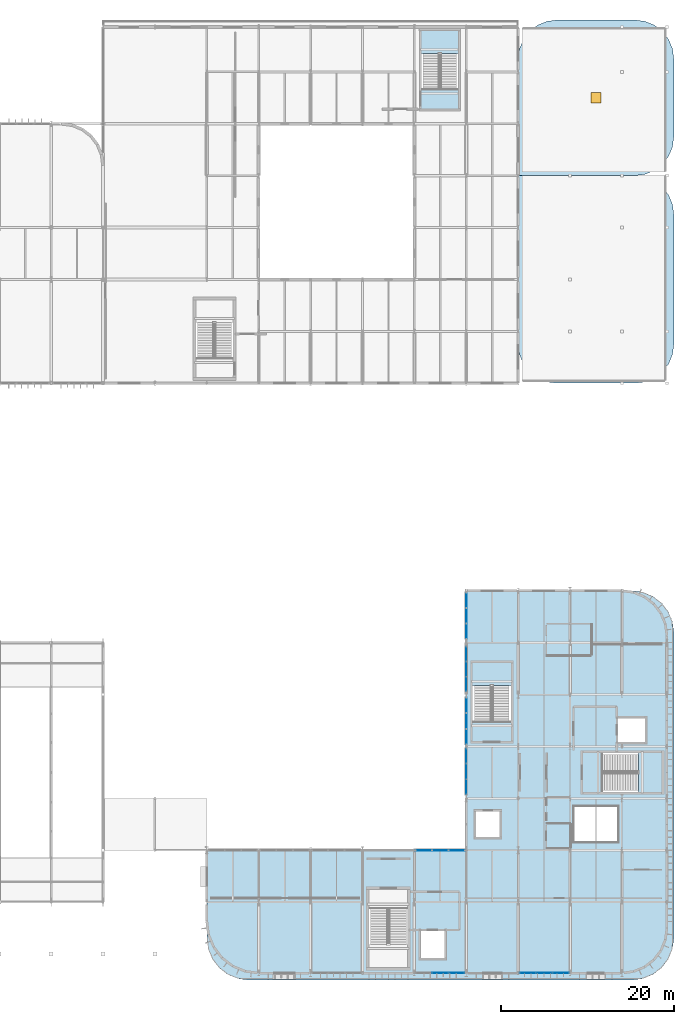
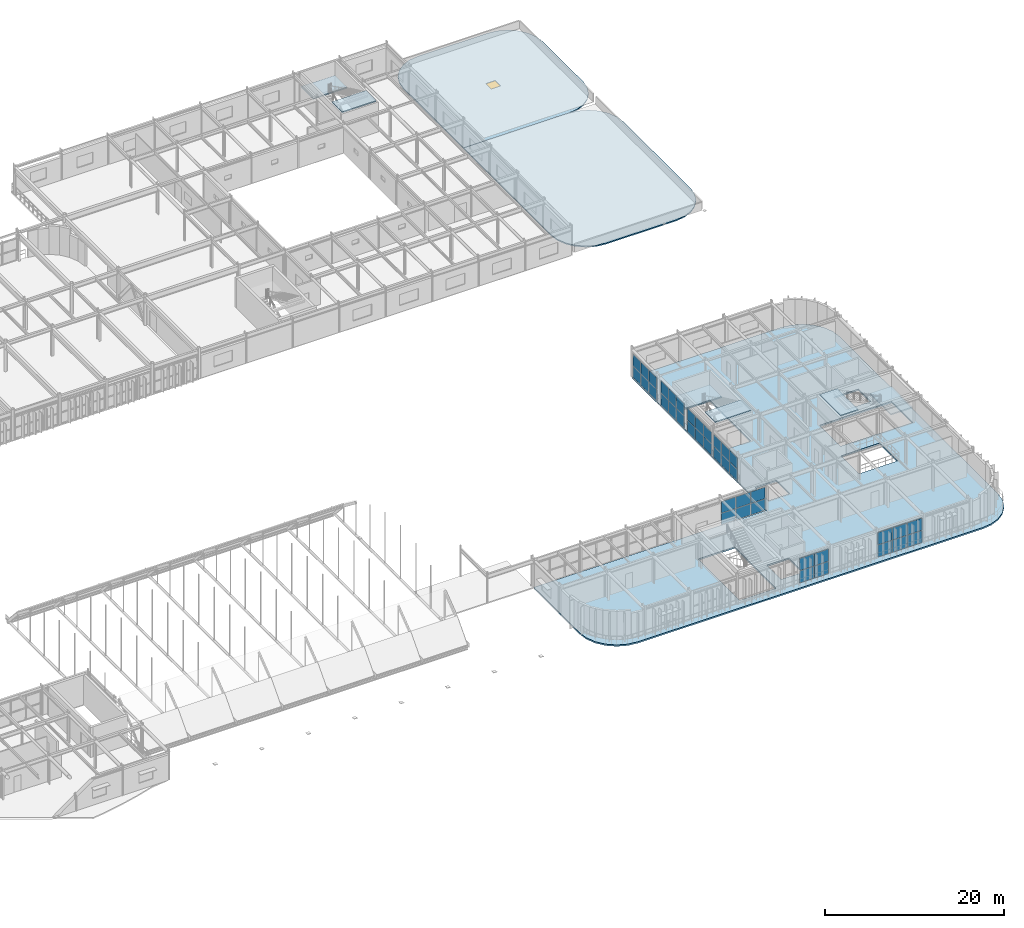
# One storey, part 82 of 116: 40 plates, 9 slabs, 1 door, 1 opening, 10 elements without a shape of their own.
"""IFC4 building model written with IfcOpenShell, lengths in metres."""

from ifc_helpers import new_model, si_unit, direction, frame, origin, origin_2d, place, context, subcontext, project, spatial, polyline, rectangle, outline, extrude, material, layer, layer_set, type_object, element, fill, aggregate, save


model = new_model("IFC4")

# Units and contexts
model_context = context("Model", 3, precision=1e-05, world=origin(), true_north=direction((0.0, 1.0)))
body_context = subcontext(model_context, "Body", "Model", "MODEL_VIEW")
ifc_project = project(units=[si_unit("LENGTHUNIT", "METRE"), si_unit("AREAUNIT", "SQUARE_METRE"), si_unit("VOLUMEUNIT", "CUBIC_METRE"), si_unit("PLANEANGLEUNIT", "RADIAN"), si_unit("MASSUNIT", "GRAM", prefix="KILO")], contexts=[model_context])

# Site, building, storey
site_placement = place(None, origin())
site = spatial("IfcSite", under=ifc_project, at=site_placement, CompositionType="ELEMENT")
building_placement = place(site_placement, origin())
building = spatial("IfcBuilding", under=site, at=building_placement, Name="Varnakota Square Police Headquarters", CompositionType="ELEMENT")
storey_placement = place(building_placement, frame((0.0, 0.0, 9.300048828125)))
storey = spatial("IfcBuildingStorey", under=building, at=storey_placement, Name="L02", CompositionType="ELEMENT", Elevation=9.300048828125)

# Curtain wall, plates
ifc_material_1 = material(Name="Anodised Aluminium Framing", Category="aluminium")
curtain_wall_type_1 = type_object("IfcCurtainWallType", Name="CW-SYS-B", PredefinedType="NOTDEFINED", material=ifc_material_1)
curtain_wall_1_placement = place(storey_placement, origin())
curtain_wall_1 = element("IfcCurtainWall", 1, at=curtain_wall_1_placement, inside=storey, type_object=curtain_wall_type_1, Name="Unitised curtain wall CWG-L02-067", PredefinedType="NOTDEFINED")
ifc_material_2 = material(Name="Solar-Control Laminated Double Glazing", Category="glass")
ifc_layer_1 = layer(ifc_material_2, 0.028076171875, Name="Solar-Control Laminated Double Glazing")
ifc_layer_set_1 = layer_set([ifc_layer_1], Name="Solar-Control Laminated Double Glazing")
plate_type_1 = type_object("IfcPlateType", Name="CWP-GLZ-28", PredefinedType="CURTAIN_PANEL", material=ifc_layer_set_1)
plate_1_placement = place(storey_placement, frame((134.972412109375, 0.800048828125, 0.06494140625), z_axis=(0.0, 0.0, 1.0), x_axis=(1.0, 0.0, 0.0)))
plate_1 = element("IfcPlate", 2, at=plate_1_placement, type_object=plate_type_1, Name="CWG-L02-067 panel 2.1", PredefinedType="CURTAIN_PANEL", context=body_context, shape_type="SweptSolid", body=[
    extrude(rectangle(XDim=1.84326171875, YDim=0.028076171875, at=origin_2d()), origin(), (0.0, 0.0, 1.0), 1.644287109375),
])
plate_2_placement = place(storey_placement, frame((136.864501953125, 0.800048828125, 0.06494140625), z_axis=(0.0, 0.0, 1.0), x_axis=(1.0, 0.0, 0.0)))
plate_2 = element("IfcPlate", 3, at=plate_2_placement, type_object=plate_type_1, Name="CWG-L02-067 panel 3.1", PredefinedType="CURTAIN_PANEL", context=body_context, shape_type="SweptSolid", body=[
    extrude(rectangle(XDim=1.810791015625, YDim=0.028076171875, at=origin_2d()), origin(), (0.0, 0.0, 1.0), 1.644287109375),
])

curtain_wall_type_2 = type_object("IfcCurtainWallType", Name="CW-SYS-E", PredefinedType="NOTDEFINED", material=ifc_material_1)
curtain_wall_2_placement = place(storey_placement, origin())
curtain_wall_2 = element("IfcCurtainWall", 4, at=curtain_wall_2_placement, inside=storey, type_object=curtain_wall_type_2, Name="Unitised curtain wall CWG-L02-075", PredefinedType="NOTDEFINED")
plate_3_placement = place(storey_placement, frame((138.0, 34.202880859375, 0.06494140625), z_axis=(0.0, 0.0, 1.0), x_axis=(0.0, 1.0, 0.0)))
plate_3 = element("IfcPlate", 5, at=plate_3_placement, type_object=plate_type_1, Name="CWG-L02-075 panel 1.1", PredefinedType="CURTAIN_PANEL", context=body_context, shape_type="SweptSolid", body=[
    extrude(rectangle(XDim=1.665771484375, YDim=0.028076171875, at=origin_2d()), origin(), (0.0, 0.0, 1.0), 1.644287109375),
])
plate_4_placement = place(storey_placement, frame((138.0, 35.949951171875, 0.06494140625), z_axis=(0.0, 0.0, 1.0), x_axis=(0.0, 1.0, 0.0)))
plate_4 = element("IfcPlate", 6, at=plate_4_placement, type_object=plate_type_1, Name="CWG-L02-075 panel 2.1", PredefinedType="CURTAIN_PANEL", context=body_context, shape_type="SweptSolid", body=[
    extrude(rectangle(XDim=1.6982421875, YDim=0.028076171875, at=origin_2d()), origin(), (0.0, 0.0, 1.0), 1.644287109375),
])
plate_5_placement = place(storey_placement, frame((138.0, 37.697021484375, 0.06494140625), z_axis=(0.0, 0.0, 1.0), x_axis=(0.0, 1.0, 0.0)))
plate_5 = element("IfcPlate", 7, at=plate_5_placement, type_object=plate_type_1, Name="CWG-L02-075 panel 3.1", PredefinedType="CURTAIN_PANEL", context=body_context, shape_type="SweptSolid", body=[
    extrude(rectangle(XDim=1.665771484375, YDim=0.028076171875, at=origin_2d()), origin(), (0.0, 0.0, 1.0), 1.644287109375),
])

curtain_wall_3_placement = place(storey_placement, origin())
curtain_wall_3 = element("IfcCurtainWall", 8, at=curtain_wall_3_placement, inside=storey, type_object=curtain_wall_type_1, Name="Unitised curtain wall CWG-L02-068", PredefinedType="NOTDEFINED")
ifc_material_3 = material(Name="Acoustic Laminated Double Glazing", Category="glass")
ifc_layer_2 = layer(ifc_material_3, 0.031982421875, Name="Acoustic Laminated Double Glazing")
ifc_layer_set_2 = layer_set([ifc_layer_2], Name="Acoustic Laminated Double Glazing")
plate_type_2 = type_object("IfcPlateType", Name="CWP-GLZ-32", PredefinedType="CURTAIN_PANEL", material=ifc_layer_set_2)
plate_6_placement = place(storey_placement, frame((145.08544921875, 0.800048828125, 0.06494140625), z_axis=(0.0, 0.0, 1.0), x_axis=(1.0, 0.0, 0.0)))
plate_6 = element("IfcPlate", 9, at=plate_6_placement, type_object=plate_type_2, Name="CWG-L02-068 panel 1.1", PredefinedType="CURTAIN_PANEL", context=body_context, shape_type="SweptSolid", body=[
    extrude(rectangle(XDim=1.830810546875, YDim=0.031982421875, at=origin_2d()), origin(), (0.0, 0.0, 1.0), 1.644287109375),
])
plate_7_placement = place(storey_placement, frame((146.99755859375, 0.800048828125, 0.06494140625), z_axis=(0.0, 0.0, 1.0), x_axis=(1.0, 0.0, 0.0)))
plate_7 = element("IfcPlate", 10, at=plate_7_placement, type_object=plate_type_2, Name="CWG-L02-068 panel 2.1", PredefinedType="CURTAIN_PANEL", context=body_context, shape_type="SweptSolid", body=[
    extrude(rectangle(XDim=1.86328125, YDim=0.031982421875, at=origin_2d()), origin(), (0.0, 0.0, 1.0), 1.644287109375),
])
plate_8_placement = place(storey_placement, frame((148.90966796875, 0.800048828125, 0.06494140625), z_axis=(0.0, 0.0, 1.0), x_axis=(1.0, 0.0, 0.0)))
plate_8 = element("IfcPlate", 11, at=plate_8_placement, type_object=plate_type_2, Name="CWG-L02-068 panel 3.1", PredefinedType="CURTAIN_PANEL", context=body_context, shape_type="SweptSolid", body=[
    extrude(rectangle(XDim=1.830810546875, YDim=0.031982421875, at=origin_2d()), origin(), (0.0, 0.0, 1.0), 1.644287109375),
])

curtain_wall_type_3 = type_object("IfcCurtainWallType", Name="CW-SYS-D", PredefinedType="NOTDEFINED", material=ifc_material_1)
curtain_wall_4_placement = place(storey_placement, origin())
curtain_wall_4 = element("IfcCurtainWall", 12, at=curtain_wall_4_placement, inside=storey, type_object=curtain_wall_type_3, Name="Unitised curtain wall CWG-L02-072", PredefinedType="NOTDEFINED")
plate_9_placement = place(storey_placement, frame((133.08544921875, 15.0, 0.06494140625), z_axis=(0.0, 0.0, 1.0), x_axis=(1.0, 0.0, 0.0)))
plate_9 = element("IfcPlate", 13, at=plate_9_placement, type_object=plate_type_2, Name="CWG-L02-072 panel 1.1", PredefinedType="CURTAIN_PANEL", context=body_context, shape_type="SweptSolid", body=[
    extrude(rectangle(XDim=1.830810546875, YDim=0.031982421875, at=origin_2d()), origin(), (0.0, 0.0, 1.0), 1.547607421875),
])
plate_10_placement = place(storey_placement, frame((134.99755859375, 15.0, 0.06494140625), z_axis=(0.0, 0.0, 1.0), x_axis=(1.0, 0.0, 0.0)))
plate_10 = element("IfcPlate", 14, at=plate_10_placement, type_object=plate_type_2, Name="CWG-L02-072 panel 2.1", PredefinedType="CURTAIN_PANEL", context=body_context, shape_type="SweptSolid", body=[
    extrude(rectangle(XDim=1.86328125, YDim=0.031982421875, at=origin_2d()), origin(), (0.0, 0.0, 1.0), 1.547607421875),
])
plate_11_placement = place(storey_placement, frame((136.90966796875, 15.0, 0.06494140625), z_axis=(0.0, 0.0, 1.0), x_axis=(1.0, 0.0, 0.0)))
plate_11 = element("IfcPlate", 15, at=plate_11_placement, type_object=plate_type_2, Name="CWG-L02-072 panel 3.1", PredefinedType="CURTAIN_PANEL", context=body_context, shape_type="SweptSolid", body=[
    extrude(rectangle(XDim=1.830810546875, YDim=0.031982421875, at=origin_2d()), origin(), (0.0, 0.0, 1.0), 1.547607421875),
])

curtain_wall_5_placement = place(storey_placement, origin())
curtain_wall_5 = element("IfcCurtainWall", 16, at=curtain_wall_5_placement, inside=storey, type_object=curtain_wall_type_2, Name="Unitised curtain wall CWG-L02-076", PredefinedType="NOTDEFINED")
plate_12_placement = place(storey_placement, frame((138.0, 40.32373046875, 0.06494140625), z_axis=(0.0, 0.0, 1.0), x_axis=(0.0, 1.0, 0.0)))
plate_12 = element("IfcPlate", 17, at=plate_12_placement, type_object=plate_type_2, Name="CWG-L02-076 panel 1.1", PredefinedType="CURTAIN_PANEL", context=body_context, shape_type="SweptSolid", body=[
    extrude(rectangle(XDim=1.70751953125, YDim=0.031982421875, at=origin_2d()), origin(), (0.0, 0.0, 1.0), 1.547607421875),
])
plate_13_placement = place(storey_placement, frame((138.0, 42.112548828125, 0.06494140625), z_axis=(0.0, 0.0, 1.0), x_axis=(0.0, 1.0, 0.0)))
plate_13 = element("IfcPlate", 18, at=plate_13_placement, type_object=plate_type_2, Name="CWG-L02-076 panel 2.1", PredefinedType="CURTAIN_PANEL", context=body_context, shape_type="SweptSolid", body=[
    extrude(rectangle(XDim=1.739990234375, YDim=0.031982421875, at=origin_2d()), origin(), (0.0, 0.0, 1.0), 1.547607421875),
])
plate_14_placement = place(storey_placement, frame((138.0, 43.9013671875, 0.06494140625), z_axis=(0.0, 0.0, 1.0), x_axis=(0.0, 1.0, 0.0)))
plate_14 = element("IfcPlate", 19, at=plate_14_placement, type_object=plate_type_2, Name="CWG-L02-076 panel 3.1", PredefinedType="CURTAIN_PANEL", context=body_context, shape_type="SweptSolid", body=[
    extrude(rectangle(XDim=1.70751953125, YDim=0.031982421875, at=origin_2d()), origin(), (0.0, 0.0, 1.0), 1.547607421875),
])

curtain_wall_6_placement = place(storey_placement, origin())
curtain_wall_6 = element("IfcCurtainWall", 20, at=curtain_wall_6_placement, inside=storey, type_object=curtain_wall_type_2, Name="Unitised curtain wall CWG-L02-073", PredefinedType="NOTDEFINED")
ifc_material_4 = material(Name="Blast-Resistant Laminated Glazing", Category="glass")
ifc_layer_3 = layer(ifc_material_4, 0.035888671875, Name="Blast-Resistant Laminated Glazing")
ifc_layer_set_3 = layer_set([ifc_layer_3], Name="Blast-Resistant Laminated Glazing")
plate_type_3 = type_object("IfcPlateType", Name="CWP-GLZ-36", PredefinedType="CURTAIN_PANEL", material=ifc_layer_set_3)
plate_15_placement = place(storey_placement, frame((138.0, 22.32373046875, 0.06494140625), z_axis=(0.0, 0.0, 1.0), x_axis=(0.0, 1.0, 0.0)))
plate_15 = element("IfcPlate", 21, at=plate_15_placement, type_object=plate_type_3, Name="CWG-L02-073 panel 1.1", PredefinedType="CURTAIN_PANEL", context=body_context, shape_type="SweptSolid", body=[
    extrude(rectangle(XDim=1.70751953125, YDim=0.035888671875, at=origin_2d()), origin(), (0.0, 0.0, 1.0), 1.547607421875),
])
plate_16_placement = place(storey_placement, frame((138.0, 24.112548828125, 0.06494140625), z_axis=(0.0, 0.0, 1.0), x_axis=(0.0, 1.0, 0.0)))
plate_16 = element("IfcPlate", 22, at=plate_16_placement, type_object=plate_type_3, Name="CWG-L02-073 panel 2.1", PredefinedType="CURTAIN_PANEL", context=body_context, shape_type="SweptSolid", body=[
    extrude(rectangle(XDim=1.739990234375, YDim=0.035888671875, at=origin_2d()), origin(), (0.0, 0.0, 1.0), 1.547607421875),
])
plate_17_placement = place(storey_placement, frame((138.0, 25.9013671875, 0.06494140625), z_axis=(0.0, 0.0, 1.0), x_axis=(0.0, 1.0, 0.0)))
plate_17 = element("IfcPlate", 23, at=plate_17_placement, type_object=plate_type_3, Name="CWG-L02-073 panel 3.1", PredefinedType="CURTAIN_PANEL", context=body_context, shape_type="SweptSolid", body=[
    extrude(rectangle(XDim=1.70751953125, YDim=0.035888671875, at=origin_2d()), origin(), (0.0, 0.0, 1.0), 1.547607421875),
])

curtain_wall_7_placement = place(storey_placement, origin())
curtain_wall_7 = element("IfcCurtainWall", 24, at=curtain_wall_7_placement, inside=storey, type_object=curtain_wall_type_2, Name="Unitised curtain wall CWG-L02-074", PredefinedType="NOTDEFINED")
ifc_material_5 = material(Name="Triple-Glazed Clean-Lab Vision Unit", Category="aluminium")
ifc_layer_4 = layer(ifc_material_5, 0.0419921875, Name="Triple-Glazed Clean-Lab Vision Unit")
ifc_layer_set_4 = layer_set([ifc_layer_4], Name="Triple-Glazed Clean-Lab Vision Unit")
plate_type_4 = type_object("IfcPlateType", Name="CWP-GLZ-42", PredefinedType="CURTAIN_PANEL", material=ifc_layer_set_4)
plate_18_placement = place(storey_placement, frame((138.0, 28.115478515625, 0.06494140625), z_axis=(0.0, 0.0, 1.0), x_axis=(0.0, 1.0, 0.0)))
plate_18 = element("IfcPlate", 25, at=plate_18_placement, type_object=plate_type_4, Name="CWG-L02-074 panel 1.1", PredefinedType="CURTAIN_PANEL", context=body_context, shape_type="SweptSolid", body=[
    extrude(rectangle(XDim=1.74072265625, YDim=0.0419921875, at=origin_2d()), origin(), (0.0, 0.0, 1.0), 1.547607421875),
])
plate_19_placement = place(storey_placement, frame((138.0, 29.9375, 0.06494140625), z_axis=(0.0, 0.0, 1.0), x_axis=(0.0, 1.0, 0.0)))
plate_19 = element("IfcPlate", 26, at=plate_19_placement, type_object=plate_type_4, Name="CWG-L02-074 panel 2.1", PredefinedType="CURTAIN_PANEL", context=body_context, shape_type="SweptSolid", body=[
    extrude(rectangle(XDim=1.7734375, YDim=0.0419921875, at=origin_2d()), origin(), (0.0, 0.0, 1.0), 1.547607421875),
])
plate_20_placement = place(storey_placement, frame((138.0, 31.759521484375, 0.06494140625), z_axis=(0.0, 0.0, 1.0), x_axis=(0.0, 1.0, 0.0)))
plate_20 = element("IfcPlate", 27, at=plate_20_placement, type_object=plate_type_4, Name="CWG-L02-074 panel 3.1", PredefinedType="CURTAIN_PANEL", context=body_context, shape_type="SweptSolid", body=[
    extrude(rectangle(XDim=1.74072265625, YDim=0.0419921875, at=origin_2d()), origin(), (0.0, 0.0, 1.0), 1.547607421875),
])

# Plate
ifc_material_6 = material(Name="Insulated Anodised Aluminium Spandrel Panel", Category="aluminium")
ifc_layer_5 = layer(ifc_material_6, 0.050048828125, Name="Insulated Anodised Aluminium Spandrel Panel")
ifc_layer_set_5 = layer_set([ifc_layer_5], Name="Insulated Anodised Aluminium Spandrel Panel")
plate_type_5 = type_object("IfcPlateType", Name="CWP-SPN-50", PredefinedType="CURTAIN_PANEL", material=ifc_layer_set_5)
plate_21_placement = place(storey_placement, frame((134.972412109375, 0.800048828125, 1.7744140625), z_axis=(0.0, 0.0, 1.0), x_axis=(1.0, 0.0, 0.0)))
plate_21 = element("IfcPlate", 28, at=plate_21_placement, type_object=plate_type_5, Name="CWG-L02-067 panel 2.2", PredefinedType="CURTAIN_PANEL", context=body_context, shape_type="SweptSolid", body=[
    extrude(rectangle(XDim=1.84326171875, YDim=0.050048828125, at=origin_2d()), origin(), (0.0, 0.0, 1.0), 1.644287109375),
])

plate_22_placement = place(storey_placement, frame((136.864501953125, 0.800048828125, 1.7744140625), z_axis=(0.0, 0.0, 1.0), x_axis=(1.0, 0.0, 0.0)))
plate_22 = element("IfcPlate", 29, at=plate_22_placement, type_object=plate_type_5, Name="CWG-L02-067 panel 3.2", PredefinedType="CURTAIN_PANEL", context=body_context, shape_type="SweptSolid", body=[
    extrude(rectangle(XDim=1.810791015625, YDim=0.050048828125, at=origin_2d()), origin(), (0.0, 0.0, 1.0), 1.644287109375),
])

aggregate(curtain_wall_1, [plate_1, plate_21, plate_2, plate_22])

plate_23_placement = place(storey_placement, frame((138.0, 22.32373046875, 1.67724609375), z_axis=(0.0, 0.0, 1.0), x_axis=(0.0, 1.0, 0.0)))
plate_23 = element("IfcPlate", 30, at=plate_23_placement, type_object=plate_type_5, Name="CWG-L02-073 panel 1.2", PredefinedType="CURTAIN_PANEL", context=body_context, shape_type="SweptSolid", body=[
    extrude(rectangle(XDim=1.70751953125, YDim=0.050048828125, at=origin_2d()), origin(), (0.0, 0.0, 1.0), 1.547607421875),
])

plate_24_placement = place(storey_placement, frame((138.0, 24.112548828125, 1.67724609375), z_axis=(0.0, 0.0, 1.0), x_axis=(0.0, 1.0, 0.0)))
plate_24 = element("IfcPlate", 31, at=plate_24_placement, type_object=plate_type_5, Name="CWG-L02-073 panel 2.2", PredefinedType="CURTAIN_PANEL", context=body_context, shape_type="SweptSolid", body=[
    extrude(rectangle(XDim=1.739990234375, YDim=0.050048828125, at=origin_2d()), origin(), (0.0, 0.0, 1.0), 1.547607421875),
])

plate_25_placement = place(storey_placement, frame((138.0, 25.9013671875, 1.67724609375), z_axis=(0.0, 0.0, 1.0), x_axis=(0.0, 1.0, 0.0)))
plate_25 = element("IfcPlate", 32, at=plate_25_placement, type_object=plate_type_5, Name="CWG-L02-073 panel 3.2", PredefinedType="CURTAIN_PANEL", context=body_context, shape_type="SweptSolid", body=[
    extrude(rectangle(XDim=1.70751953125, YDim=0.050048828125, at=origin_2d()), origin(), (0.0, 0.0, 1.0), 1.547607421875),
])

aggregate(curtain_wall_6, [plate_15, plate_23, plate_16, plate_24, plate_17, plate_25])

plate_26_placement = place(storey_placement, frame((138.0, 34.202880859375, 1.7744140625), z_axis=(0.0, 0.0, 1.0), x_axis=(0.0, 1.0, 0.0)))
plate_26 = element("IfcPlate", 33, at=plate_26_placement, type_object=plate_type_5, Name="CWG-L02-075 panel 1.2", PredefinedType="CURTAIN_PANEL", context=body_context, shape_type="SweptSolid", body=[
    extrude(rectangle(XDim=1.665771484375, YDim=0.050048828125, at=origin_2d()), origin(), (0.0, 0.0, 1.0), 1.644287109375),
])

plate_27_placement = place(storey_placement, frame((138.0, 35.949951171875, 1.7744140625), z_axis=(0.0, 0.0, 1.0), x_axis=(0.0, 1.0, 0.0)))
plate_27 = element("IfcPlate", 34, at=plate_27_placement, type_object=plate_type_5, Name="CWG-L02-075 panel 2.2", PredefinedType="CURTAIN_PANEL", context=body_context, shape_type="SweptSolid", body=[
    extrude(rectangle(XDim=1.6982421875, YDim=0.050048828125, at=origin_2d()), origin(), (0.0, 0.0, 1.0), 1.644287109375),
])

plate_28_placement = place(storey_placement, frame((138.0, 37.697021484375, 1.7744140625), z_axis=(0.0, 0.0, 1.0), x_axis=(0.0, 1.0, 0.0)))
plate_28 = element("IfcPlate", 35, at=plate_28_placement, type_object=plate_type_5, Name="CWG-L02-075 panel 3.2", PredefinedType="CURTAIN_PANEL", context=body_context, shape_type="SweptSolid", body=[
    extrude(rectangle(XDim=1.665771484375, YDim=0.050048828125, at=origin_2d()), origin(), (0.0, 0.0, 1.0), 1.644287109375),
])

aggregate(curtain_wall_2, [plate_3, plate_26, plate_4, plate_27, plate_5, plate_28])

ifc_material_7 = material(Name="Fire-Stopped Mineral-Wool Spandrel Panel", Category="aluminium")
ifc_layer_6 = layer(ifc_material_7, 0.06005859375, Name="Fire-Stopped Mineral-Wool Spandrel Panel")
ifc_layer_set_6 = layer_set([ifc_layer_6], Name="Fire-Stopped Mineral-Wool Spandrel Panel")
plate_type_6 = type_object("IfcPlateType", Name="CWP-SPN-60", PredefinedType="CURTAIN_PANEL", material=ifc_layer_set_6)
plate_29_placement = place(storey_placement, frame((145.08544921875, 0.800048828125, 1.7744140625), z_axis=(0.0, 0.0, 1.0), x_axis=(1.0, 0.0, 0.0)))
plate_29 = element("IfcPlate", 36, at=plate_29_placement, type_object=plate_type_6, Name="CWG-L02-068 panel 1.2", PredefinedType="CURTAIN_PANEL", context=body_context, shape_type="SweptSolid", body=[
    extrude(rectangle(XDim=1.830810546875, YDim=0.06005859375, at=origin_2d()), origin(), (0.0, 0.0, 1.0), 1.644287109375),
])

plate_30_placement = place(storey_placement, frame((146.99755859375, 0.800048828125, 1.7744140625), z_axis=(0.0, 0.0, 1.0), x_axis=(1.0, 0.0, 0.0)))
plate_30 = element("IfcPlate", 37, at=plate_30_placement, type_object=plate_type_6, Name="CWG-L02-068 panel 2.2", PredefinedType="CURTAIN_PANEL", context=body_context, shape_type="SweptSolid", body=[
    extrude(rectangle(XDim=1.86328125, YDim=0.06005859375, at=origin_2d()), origin(), (0.0, 0.0, 1.0), 1.644287109375),
])

plate_31_placement = place(storey_placement, frame((148.90966796875, 0.800048828125, 1.7744140625), z_axis=(0.0, 0.0, 1.0), x_axis=(1.0, 0.0, 0.0)))
plate_31 = element("IfcPlate", 38, at=plate_31_placement, type_object=plate_type_6, Name="CWG-L02-068 panel 3.2", PredefinedType="CURTAIN_PANEL", context=body_context, shape_type="SweptSolid", body=[
    extrude(rectangle(XDim=1.830810546875, YDim=0.06005859375, at=origin_2d()), origin(), (0.0, 0.0, 1.0), 1.644287109375),
])

aggregate(curtain_wall_3, [plate_6, plate_29, plate_7, plate_30, plate_8, plate_31])

plate_32_placement = place(storey_placement, frame((133.08544921875, 15.0, 1.67724609375), z_axis=(0.0, 0.0, 1.0), x_axis=(1.0, 0.0, 0.0)))
plate_32 = element("IfcPlate", 39, at=plate_32_placement, type_object=plate_type_6, Name="CWG-L02-072 panel 1.2", PredefinedType="CURTAIN_PANEL", context=body_context, shape_type="SweptSolid", body=[
    extrude(rectangle(XDim=1.830810546875, YDim=0.06005859375, at=origin_2d()), origin(), (0.0, 0.0, 1.0), 1.547607421875),
])

plate_33_placement = place(storey_placement, frame((134.99755859375, 15.0, 1.67724609375), z_axis=(0.0, 0.0, 1.0), x_axis=(1.0, 0.0, 0.0)))
plate_33 = element("IfcPlate", 40, at=plate_33_placement, type_object=plate_type_6, Name="CWG-L02-072 panel 2.2", PredefinedType="CURTAIN_PANEL", context=body_context, shape_type="SweptSolid", body=[
    extrude(rectangle(XDim=1.86328125, YDim=0.06005859375, at=origin_2d()), origin(), (0.0, 0.0, 1.0), 1.547607421875),
])

plate_34_placement = place(storey_placement, frame((136.90966796875, 15.0, 1.67724609375), z_axis=(0.0, 0.0, 1.0), x_axis=(1.0, 0.0, 0.0)))
plate_34 = element("IfcPlate", 41, at=plate_34_placement, type_object=plate_type_6, Name="CWG-L02-072 panel 3.2", PredefinedType="CURTAIN_PANEL", context=body_context, shape_type="SweptSolid", body=[
    extrude(rectangle(XDim=1.830810546875, YDim=0.06005859375, at=origin_2d()), origin(), (0.0, 0.0, 1.0), 1.547607421875),
])

aggregate(curtain_wall_4, [plate_9, plate_32, plate_10, plate_33, plate_11, plate_34])

plate_35_placement = place(storey_placement, frame((138.0, 28.115478515625, 1.67724609375), z_axis=(0.0, 0.0, 1.0), x_axis=(0.0, 1.0, 0.0)))
plate_35 = element("IfcPlate", 42, at=plate_35_placement, type_object=plate_type_6, Name="CWG-L02-074 panel 1.2", PredefinedType="CURTAIN_PANEL", context=body_context, shape_type="SweptSolid", body=[
    extrude(rectangle(XDim=1.74072265625, YDim=0.06005859375, at=origin_2d()), origin(), (0.0, 0.0, 1.0), 1.547607421875),
])

plate_36_placement = place(storey_placement, frame((138.0, 29.9375, 1.67724609375), z_axis=(0.0, 0.0, 1.0), x_axis=(0.0, 1.0, 0.0)))
plate_36 = element("IfcPlate", 43, at=plate_36_placement, type_object=plate_type_6, Name="CWG-L02-074 panel 2.2", PredefinedType="CURTAIN_PANEL", context=body_context, shape_type="SweptSolid", body=[
    extrude(rectangle(XDim=1.7734375, YDim=0.06005859375, at=origin_2d()), origin(), (0.0, 0.0, 1.0), 1.547607421875),
])

plate_37_placement = place(storey_placement, frame((138.0, 31.759521484375, 1.67724609375), z_axis=(0.0, 0.0, 1.0), x_axis=(0.0, 1.0, 0.0)))
plate_37 = element("IfcPlate", 44, at=plate_37_placement, type_object=plate_type_6, Name="CWG-L02-074 panel 3.2", PredefinedType="CURTAIN_PANEL", context=body_context, shape_type="SweptSolid", body=[
    extrude(rectangle(XDim=1.74072265625, YDim=0.06005859375, at=origin_2d()), origin(), (0.0, 0.0, 1.0), 1.547607421875),
])

aggregate(curtain_wall_7, [plate_18, plate_35, plate_19, plate_36, plate_20, plate_37])

plate_38_placement = place(storey_placement, frame((138.0, 40.32373046875, 1.67724609375), z_axis=(0.0, 0.0, 1.0), x_axis=(0.0, 1.0, 0.0)))
plate_38 = element("IfcPlate", 45, at=plate_38_placement, type_object=plate_type_6, Name="CWG-L02-076 panel 1.2", PredefinedType="CURTAIN_PANEL", context=body_context, shape_type="SweptSolid", body=[
    extrude(rectangle(XDim=1.70751953125, YDim=0.06005859375, at=origin_2d()), origin(), (0.0, 0.0, 1.0), 1.547607421875),
])

plate_39_placement = place(storey_placement, frame((138.0, 42.112548828125, 1.67724609375), z_axis=(0.0, 0.0, 1.0), x_axis=(0.0, 1.0, 0.0)))
plate_39 = element("IfcPlate", 46, at=plate_39_placement, type_object=plate_type_6, Name="CWG-L02-076 panel 2.2", PredefinedType="CURTAIN_PANEL", context=body_context, shape_type="SweptSolid", body=[
    extrude(rectangle(XDim=1.739990234375, YDim=0.06005859375, at=origin_2d()), origin(), (0.0, 0.0, 1.0), 1.547607421875),
])

plate_40_placement = place(storey_placement, frame((138.0, 43.9013671875, 1.67724609375), z_axis=(0.0, 0.0, 1.0), x_axis=(0.0, 1.0, 0.0)))
plate_40 = element("IfcPlate", 47, at=plate_40_placement, type_object=plate_type_6, Name="CWG-L02-076 panel 3.2", PredefinedType="CURTAIN_PANEL", context=body_context, shape_type="SweptSolid", body=[
    extrude(rectangle(XDim=1.70751953125, YDim=0.06005859375, at=origin_2d()), origin(), (0.0, 0.0, 1.0), 1.547607421875),
])

aggregate(curtain_wall_5, [plate_12, plate_38, plate_13, plate_39, plate_14, plate_40])

# Slab
ifc_material_8 = material(Name="Concrete M40", Category="concrete")
ifc_layer_7 = layer(ifc_material_8, 0.199951171875, Name="Concrete M40")
ifc_layer_set_7 = layer_set([ifc_layer_7], Name="Concrete M40")
slab_type_1 = type_object("IfcSlabType", Name="SL-COMP-200", PredefinedType="FLOOR", material=ifc_layer_set_7)
slab_1_placement = place(storey_placement, frame((0.0, 0.0, -0.199951171875)))
element("IfcSlab", 48, at=slab_1_placement, inside=storey, type_object=slab_type_1, Name="L02 Detective Division Slab", PredefinedType="FLOOR", context=body_context, shape_type="SweptSolid", body=[
    extrude(outline(polyline([(108.0, 4.800048828125), (108.16357421875, 3.5576171875), (108.64306640625, 2.39990234375), (109.406005859375, 1.406005859375), (110.39990234375, 0.64306640625), (111.5576171875, 0.16357421875), (112.800048828125, 0.0), (157.199951171875, 0.0), (158.4423828125, 0.16357421875), (159.60009765625, 0.64306640625), (160.593994140625, 1.406005859375), (161.35693359375, 2.39990234375), (161.83642578125, 3.5576171875), (162.0, 4.800048828125), (162.0, 40.199951171875), (161.83642578125, 41.4423828125), (161.35693359375, 42.60009765625), (160.593994140625, 43.593994140625), (159.60009765625, 44.35693359375), (158.4423828125, 44.83642578125), (157.199951171875, 45.0), (138.0, 45.0), (138.0, 15.0), (108.0, 15.0), (108.0, 4.800048828125)]), holes=[polyline([(150.5, 16.0), (155.5, 16.0), (155.5, 20.0), (150.5, 20.0), (150.5, 16.0)]), polyline([(126.655029296875, 1.304931640625), (131.344970703125, 1.304931640625), (131.344970703125, 10.594970703125), (126.655029296875, 10.594970703125), (126.655029296875, 1.304931640625)]), polyline([(132.715087890625, 2.514892578125), (135.485107421875, 2.514892578125), (135.485107421875, 5.68505859375), (132.715087890625, 5.68505859375), (132.715087890625, 2.514892578125)]), polyline([(151.405029296875, 21.655029296875), (160.695068359375, 21.655029296875), (160.695068359375, 26.344970703125), (151.405029296875, 26.344970703125), (151.405029296875, 21.655029296875)]), polyline([(155.514892578125, 27.514892578125), (158.68505859375, 27.514892578125), (158.68505859375, 30.284912109375), (155.514892578125, 30.284912109375), (155.514892578125, 27.514892578125)]), polyline([(138.655029296875, 27.554931640625), (143.2451171875, 27.554931640625), (143.2451171875, 36.7451171875), (138.655029296875, 36.7451171875), (138.655029296875, 27.554931640625)]), polyline([(139.114990234375, 16.514892578125), (141.885009765625, 16.514892578125), (141.885009765625, 19.485107421875), (139.114990234375, 19.485107421875), (139.114990234375, 16.514892578125)])]), origin(), (0.0, 0.0, 1.0), 0.199951171875),
])

# Slab, opening, door
ifc_layer_8 = layer(ifc_material_8, 0.159912109375, Name="Concrete M40")
ifc_layer_set_8 = layer_set([ifc_layer_8], Name="Concrete M40")
slab_type_2 = type_object("IfcSlabType", Name="SL-RF-160", PredefinedType="ROOF", material=ifc_layer_set_8)
slab_2_placement = place(storey_placement, frame((0.0, 0.0, -0.16015625)))
slab_2 = element("IfcSlab", 49, at=slab_2_placement, inside=storey, type_object=slab_type_2, Name="L02 Sallyport Roof Slab", PredefinedType="ROOF", context=body_context, shape_type="SweptSolid", body=[
    extrude(outline(polyline([(144.0, 93.0), (157.5, 93.0), (158.664794921875, 93.1533203125), (159.75, 93.602783203125), (160.681884765625, 94.318115234375), (161.397216796875, 95.25), (161.8466796875, 96.335205078125), (162.0, 97.5), (162.0, 106.5), (161.8466796875, 107.664794921875), (161.397216796875, 108.75), (160.681884765625, 109.681884765625), (159.75, 110.397216796875), (158.664794921875, 110.8466796875), (157.5, 111.0), (148.5, 111.0), (147.335205078125, 110.8466796875), (146.25, 110.397216796875), (145.318115234375, 109.681884765625), (144.602783203125, 108.75), (144.1533203125, 107.664794921875), (144.0, 106.5), (144.0, 93.0)])), origin(), (0.0, 0.0, 1.0), 0.16015625),
])
opening_placement = place(slab_2_placement, frame((153.0, 102.0, -0.010009765625)))
opening = element("IfcOpeningElement", 50, at=opening_placement, cuts=slab_2, Name="Opening RH01", PredefinedType="OPENING", context=body_context, shape_type="SweptSolid", body=[
    extrude(rectangle(XDim=1.199951171875, YDim=1.199951171875, at=origin_2d()), origin(), (0.0, 0.0, 1.0), 0.18017578125),
])
ifc_material_9 = material(Name="Insulated Aluminium Roof Access Hatch", Category="aluminium")
door_type = type_object("IfcDoorType", Name="DR-HTCH-120", OperationType="NOTDEFINED", PredefinedType="TRAPDOOR", material=ifc_material_9)
door_placement = place(opening_placement, frame((0.0, 0.0, 0.06494140625)))
door = element("IfcDoor", 51, at=door_placement, inside=storey, type_object=door_type, Name="Roof access hatch RH01", OperationType="SINGLE_SWING_LEFT", OverallHeight=1.199951171875, OverallWidth=1.199951171875, PredefinedType="TRAPDOOR", context=body_context, shape_type="SweptSolid", body=[
    extrude(rectangle(XDim=1.199951171875, YDim=1.199951171875, at=origin_2d()), origin(), (0.0, 0.0, 1.0), 0.050048828125),
])
fill(opening, door)

# Slab
slab_3_placement = place(storey_placement, frame((0.0, 0.0, -0.16015625)))
element("IfcSlab", 52, at=slab_3_placement, inside=storey, type_object=slab_type_2, Name="L02 Custody East Wing Roof Slab", PredefinedType="ROOF", context=body_context, shape_type="SweptSolid", body=[
    extrude(outline(polyline([(144.0, 73.5), (144.1533203125, 72.335205078125), (144.602783203125, 71.25), (145.318115234375, 70.318115234375), (146.25, 69.602783203125), (147.335205078125, 69.1533203125), (148.5, 69.0), (157.5, 69.0), (158.664794921875, 69.1533203125), (159.75, 69.602783203125), (160.681884765625, 70.318115234375), (161.397216796875, 71.25), (161.8466796875, 72.335205078125), (162.0, 73.5), (162.0, 88.5), (161.8466796875, 89.664794921875), (161.397216796875, 90.75), (160.681884765625, 91.681884765625), (159.75, 92.397216796875), (158.664794921875, 92.8466796875), (157.5, 93.0), (144.0, 93.0), (144.0, 73.5)])), origin(), (0.0, 0.0, 1.0), 0.16015625),
])

# Stair, slabs
stair_type_1 = type_object("IfcStairType", Name="STR-DOG-1850", PredefinedType="USERDEFINED", material=ifc_material_8)
stair_1_placement = place(storey_placement, origin())
stair_1 = element("IfcStair", 53, at=stair_1_placement, inside=storey, type_object=stair_type_1, Name="Protected exit stair ST8 (L02)", ObjectType="TWO_RETURN_STAIR", PredefinedType="USERDEFINED")
ifc_layer_9 = layer(ifc_material_8, 0.157958984375, Name="Concrete M40")
ifc_layer_set_9 = layer_set([ifc_layer_9], Name="Concrete M40")
slab_type_3 = type_object("IfcSlabType", Name="SLB-LND-1850", PredefinedType="LANDING", material=ifc_layer_set_9)
slab_4_placement = place(storey_placement, frame((0.0, 0.0, 1.94189453125)))
slab_4 = element("IfcSlab", 54, at=slab_4_placement, type_object=slab_type_3, Name="ST8-L02 landing 1", PredefinedType="LANDING", context=body_context, shape_type="SweptSolid", body=[
    extrude(outline(polyline([(132.760009765625, 107.150634765625), (137.139892578125, 107.150634765625), (137.139892578125, 109.840087890625), (132.760009765625, 109.840087890625), (132.760009765625, 107.150634765625)])), origin(), (0.0, 0.0, 1.0), 0.157958984375),
])
slab_5_placement = place(storey_placement, frame((0.0, 0.0, 4.0419921875)))
slab_5 = element("IfcSlab", 55, at=slab_5_placement, type_object=slab_type_3, Name="ST8-L02 landing 2", PredefinedType="LANDING", context=body_context, shape_type="SweptSolid", body=[
    extrude(outline(polyline([(132.760009765625, 100.659912109375), (137.139892578125, 100.659912109375), (137.139892578125, 102.949951171875), (132.760009765625, 102.949951171875), (132.760009765625, 100.659912109375)])), origin(), (0.0, 0.0, 1.0), 0.157958984375),
])
aggregate(stair_1, [slab_4, slab_5])

stair_type_2 = type_object("IfcStairType", Name="STR-DOG-1900", PredefinedType="USERDEFINED", material=ifc_material_8)
stair_2_placement = place(storey_placement, origin())
stair_2 = element("IfcStair", 56, at=stair_2_placement, inside=storey, type_object=stair_type_2, Name="Protected exit stair ST3 (L02)", ObjectType="TWO_RETURN_STAIR", PredefinedType="USERDEFINED")
ifc_layer_10 = layer(ifc_material_8, 0.162109375, Name="Concrete M40")
ifc_layer_set_10 = layer_set([ifc_layer_10], Name="Concrete M40")
slab_type_4 = type_object("IfcSlabType", Name="SLB-LND-1900", PredefinedType="LANDING", material=ifc_layer_set_10)
slab_6_placement = place(storey_placement, frame((0.0, 0.0, 1.93798828125)))
slab_6 = element("IfcSlab", 57, at=slab_6_placement, type_object=slab_type_4, Name="ST3-L02 landing 1", PredefinedType="LANDING", context=body_context, shape_type="SweptSolid", body=[
    extrude(outline(polyline([(138.659912109375, 34.05078125), (143.239990234375, 34.05078125), (143.239990234375, 36.739990234375), (138.659912109375, 36.739990234375), (138.659912109375, 34.05078125)])), origin(), (0.0, 0.0, 1.0), 0.161865234375),
])
slab_7_placement = place(storey_placement, frame((0.0, 0.0, 4.037841796875)))
slab_7 = element("IfcSlab", 58, at=slab_7_placement, type_object=slab_type_4, Name="ST3-L02 landing 2", PredefinedType="LANDING", context=body_context, shape_type="SweptSolid", body=[
    extrude(outline(polyline([(138.659912109375, 27.56005859375), (143.239990234375, 27.56005859375), (143.239990234375, 29.85009765625), (138.659912109375, 29.85009765625), (138.659912109375, 27.56005859375)])), origin(), (0.0, 0.0, 1.0), 0.162109375),
])
aggregate(stair_2, [slab_6, slab_7])

stair_type_3 = type_object("IfcStairType", Name="STR-DOG-2000", PredefinedType="USERDEFINED", material=ifc_material_8)
stair_3_placement = place(storey_placement, origin())
stair_3 = element("IfcStair", 59, at=stair_3_placement, inside=storey, type_object=stair_type_3, Name="Protected exit stair ST2 (L02)", ObjectType="TWO_RETURN_STAIR", PredefinedType="USERDEFINED")
ifc_layer_11 = layer(ifc_material_8, 0.166015625, Name="Concrete M40")
ifc_layer_set_11 = layer_set([ifc_layer_11], Name="Concrete M40")
slab_type_5 = type_object("IfcSlabType", Name="SLB-LND-2000", PredefinedType="LANDING", material=ifc_layer_set_11)
slab_8_placement = place(storey_placement, frame((0.0, 0.0, 1.933837890625)))
slab_8 = element("IfcSlab", 60, at=slab_8_placement, type_object=slab_type_5, Name="ST2-L02 landing 1", PredefinedType="LANDING", context=body_context, shape_type="SweptSolid", body=[
    extrude(outline(polyline([(157.900634765625, 21.659912109375), (160.68994140625, 21.659912109375), (160.68994140625, 26.340087890625), (157.900634765625, 26.340087890625), (157.900634765625, 21.659912109375)])), origin(), (0.0, 0.0, 1.0), 0.166015625),
])
slab_9_placement = place(storey_placement, frame((0.0, 0.0, 4.033935546875)))
slab_9 = element("IfcSlab", 61, at=slab_9_placement, type_object=slab_type_5, Name="ST2-L02 landing 2", PredefinedType="LANDING", context=body_context, shape_type="SweptSolid", body=[
    extrude(outline(polyline([(151.409912109375, 21.659912109375), (153.699951171875, 21.659912109375), (153.699951171875, 26.340087890625), (151.409912109375, 26.340087890625), (151.409912109375, 21.659912109375)])), origin(), (0.0, 0.0, 1.0), 0.166015625),
])
aggregate(stair_3, [slab_8, slab_9])

save(model, "model.ifc")
